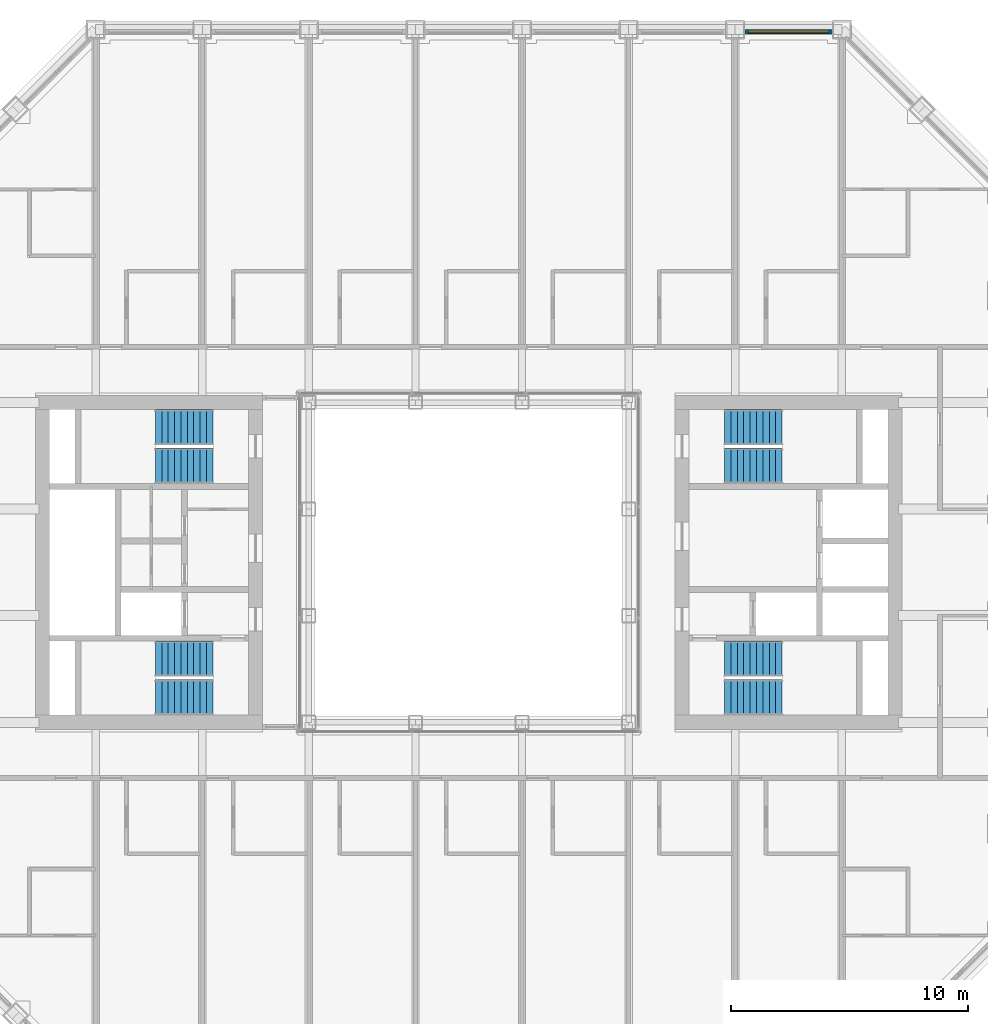
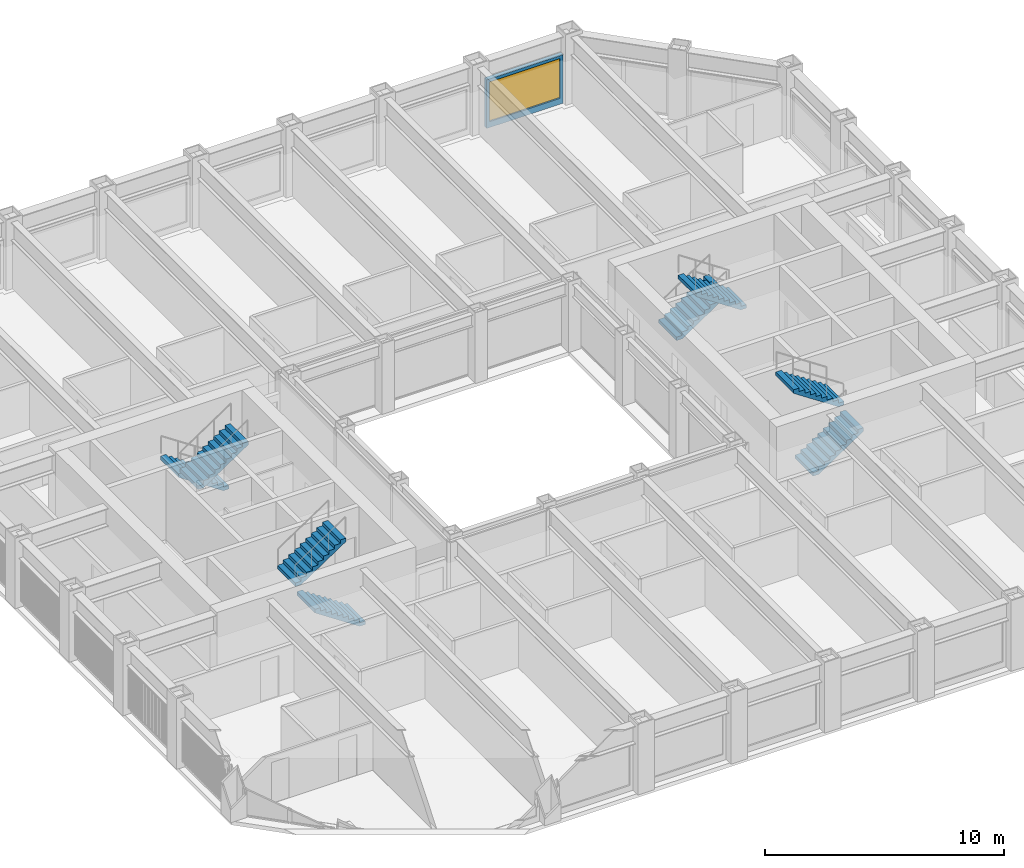
# One storey, part 15 of 18: 8 stair flights, 1 wall, 1 window, 1 opening, 4 elements without a shape of their own.
"""IFC4 building model written with IfcOpenShell, lengths in metres."""

from ifc_helpers import new_model, si_unit, direction, frame, frame_2d, origin, place, context, subcontext, project, spatial, polyline, rectangle, outline, extrude, material, layer, layer_set, type_object, element, fill, aggregate, save


model = new_model("IFC4")

# Units and contexts
model_context = context("Model", 3, precision=1e-05, world=origin(), true_north=direction((0.0, 1.0)))
body_context = subcontext(model_context, "Body", "Model", "MODEL_VIEW")
ifc_project = project(units=[si_unit("LENGTHUNIT", "METRE"), si_unit("AREAUNIT", "SQUARE_METRE"), si_unit("VOLUMEUNIT", "CUBIC_METRE"), si_unit("PLANEANGLEUNIT", "RADIAN"), si_unit("MASSUNIT", "GRAM", prefix="KILO")], contexts=[model_context])

# Site, building, storey
site_placement = place(None, origin())
site = spatial("IfcSite", under=ifc_project, at=site_placement, CompositionType="ELEMENT")
building_placement = place(site_placement, origin())
building = spatial("IfcBuilding", under=site, at=building_placement, Name="Msasa Ring Tower", CompositionType="ELEMENT")
storey_placement = place(building_placement, frame((0.0, 0.0, 125.60009765625)))
storey = spatial("IfcBuildingStorey", under=building, at=storey_placement, Name="L32", CompositionType="ELEMENT", Elevation=125.60009765625)

# Wall, opening, window
ifc_material_1 = material(Name="Terracotta rainscreen on blockwork", Category="masonry")
ifc_layer = layer(ifc_material_1, 0.199951171875)
ifc_layer_set = layer_set([ifc_layer], Name="FW1 TERRACOTTA-LINED INFILL BAY WALL 200")
wall_type = type_object("IfcWallType", Name="FW1 TERRACOTTA-LINED INFILL BAY WALL 200", PredefinedType="SOLIDWALL", material=ifc_layer_set)
wall_placement = place(storey_placement, frame((11.655029296875, 22.39990234375, 0.0), z_axis=(0.0, 0.0, 1.0), x_axis=(1.0, 0.0, 0.0)))
wall = element("IfcWall", 1, at=wall_placement, inside=storey, type_object=wall_type, Name="Infill bay wall N L32 24", PredefinedType="SOLIDWALL", context=body_context, shape_type="SweptSolid", body=[
    extrude(rectangle(XDim=3.68994140625, YDim=0.199951171875, at=frame_2d((1.844970703125, 0.0))), origin(), (0.0, 0.0, 1.0), 2.47900390625),
])
opening_placement = place(wall_placement, frame((0.14501953125, 0.0, 0.300048828125)))
opening = element("IfcOpeningElement", 2, at=opening_placement, cuts=wall, Name="Opening WN2", PredefinedType="OPENING", context=body_context, shape_type="SweptSolid", body=[
    extrude(rectangle(XDim=3.39990234375, YDim=2.029052734375, at=frame_2d((1.699951171875, 1.0146484375))), frame((0.0, 0.10986328125, 0.0), z_axis=(0.0, -1.0, 0.0), x_axis=(1.0, 0.0, 0.0)), (0.0, 0.0, 1.0), 0.219970703125),
])
ifc_material_2 = material(Name="Aluminium frame with clear glass", Category="aluminium")
window_type = type_object("IfcWindowType", Name="WN2 GUEST ROOM WINDOW 3400x2029", PartitioningType="SINGLE_PANEL", PredefinedType="WINDOW", material=ifc_material_2)
window_placement = place(opening_placement, origin())
window = element("IfcWindow", 3, at=window_placement, inside=storey, type_object=window_type, Name="Window N L32 24", OverallHeight=2.029052734375, OverallWidth=3.39990234375, PartitioningType="SINGLE_PANEL", PredefinedType="WINDOW", context=body_context, shape_type="SweptSolid", body=[
    extrude(rectangle(XDim=3.39990234375, YDim=2.029052734375, at=frame_2d((1.699951171875, 1.0146484375))), frame((0.0, 0.030029296875, 0.0), z_axis=(0.0, -1.0, 0.0), x_axis=(1.0, 0.0, 0.0)), (0.0, 0.0, 1.0), 0.06005859375),
])
fill(opening, window)

# Stair, stair flights
ifc_material_3 = material(Name="Concrete C40/50", Category="concrete")
stair_type = type_object("IfcStairType", Name="STC CORE STAIR 20 RISERS 180", PredefinedType="HALF_TURN_STAIR", material=ifc_material_3)
stair_1_placement = place(storey_placement, origin())
stair_1 = element("IfcStair", 4, at=stair_1_placement, inside=storey, type_object=stair_type, Name="Core stair SEA L32", PredefinedType="HALF_TURN_STAIR")
ifc_material_4 = material(Name="Concrete C40/50", Category="concrete")
stair_flight_type = type_object("IfcStairFlightType", Name="ST14 CORE STAIR FLIGHT 1500 10 RISERS 180", PredefinedType="STRAIGHT", material=ifc_material_4)
stair_flight_1_placement = place(storey_placement, frame((10.800048828125, -5.699951171875, 0.0), z_axis=(0.0, 0.0, 1.0), x_axis=(1.0, 0.0, 0.0)))
stair_flight_1 = element("IfcStairFlight", 5, at=stair_flight_1_placement, type_object=stair_flight_type, Name="SEA flight 1", NumberOfRisers=10, NumberOfTreads=9, PredefinedType="STRAIGHT", RiserHeight=0.18, TreadLength=0.27, context=body_context, shape_type="SweptSolid", body=[
    extrude(outline(polyline([(0.0, 0.0), (0.0, 0.179931640625), (0.27001953125, 0.179931640625), (0.27001953125, 0.360107421875), (0.5400390625, 0.360107421875), (0.5400390625, 0.5400390625), (0.81005859375, 0.5400390625), (0.81005859375, 0.719970703125), (1.080078125, 0.719970703125), (1.080078125, 0.89990234375), (1.35009765625, 0.89990234375), (1.35009765625, 1.080078125), (1.6201171875, 1.080078125), (1.6201171875, 1.260009765625), (1.889892578125, 1.260009765625), (1.889892578125, 1.43994140625), (2.159912109375, 1.43994140625), (2.159912109375, 1.6201171875), (2.429931640625, 1.6201171875), (2.429931640625, 1.800048828125), (2.429931640625, 1.43994140625), (0.270263671875, 0.0), (0.0, 0.0)])), frame((0.0, 0.75, 0.0), z_axis=(0.0, -1.0, 0.0), x_axis=(1.0, 0.0, 0.0)), (0.0, 0.0, 1.0), 1.5),
])
stair_flight_2_placement = place(storey_placement, frame((13.22998046875, -4.074951171875, 1.7998046875), z_axis=(0.0, 0.0, 1.0), x_axis=(-1.0, 0.0, 0.0)))
stair_flight_2 = element("IfcStairFlight", 6, at=stair_flight_2_placement, type_object=stair_flight_type, Name="SEA flight 2", NumberOfRisers=10, NumberOfTreads=9, PredefinedType="STRAIGHT", RiserHeight=0.18, TreadLength=0.27, context=body_context, shape_type="SweptSolid", body=[
    extrude(outline(polyline([(0.0, 0.0), (0.0, 0.179931640625), (0.27001953125, 0.179931640625), (0.27001953125, 0.360107421875), (0.5400390625, 0.360107421875), (0.5400390625, 0.5400390625), (0.81005859375, 0.5400390625), (0.81005859375, 0.719970703125), (1.080078125, 0.719970703125), (1.080078125, 0.89990234375), (1.35009765625, 0.89990234375), (1.35009765625, 1.080078125), (1.6201171875, 1.080078125), (1.6201171875, 1.260009765625), (1.889892578125, 1.260009765625), (1.889892578125, 1.43994140625), (2.159912109375, 1.43994140625), (2.159912109375, 1.6201171875), (2.429931640625, 1.6201171875), (2.429931640625, 1.800048828125), (2.429931640625, 1.43994140625), (0.270263671875, 0.0), (0.0, 0.0)])), frame((0.0, 0.75, 0.0), z_axis=(0.0, -1.0, 0.0), x_axis=(1.0, 0.0, 0.0)), (0.0, 0.0, 1.0), 1.5),
])
aggregate(stair_1, [stair_flight_1, stair_flight_2])

stair_2_placement = place(storey_placement, origin())
stair_2 = element("IfcStair", 7, at=stair_2_placement, inside=storey, type_object=stair_type, Name="Core stair SEB L32", PredefinedType="HALF_TURN_STAIR")
stair_flight_3_placement = place(storey_placement, frame((10.800048828125, 5.699951171875, 0.0), z_axis=(0.0, 0.0, 1.0), x_axis=(1.0, 0.0, 0.0)))
stair_flight_3 = element("IfcStairFlight", 8, at=stair_flight_3_placement, type_object=stair_flight_type, Name="SEB flight 1", NumberOfRisers=10, NumberOfTreads=9, PredefinedType="STRAIGHT", RiserHeight=0.18, TreadLength=0.27, context=body_context, shape_type="SweptSolid", body=[
    extrude(outline(polyline([(0.0, 0.0), (0.0, 0.179931640625), (0.27001953125, 0.179931640625), (0.27001953125, 0.360107421875), (0.5400390625, 0.360107421875), (0.5400390625, 0.5400390625), (0.81005859375, 0.5400390625), (0.81005859375, 0.719970703125), (1.080078125, 0.719970703125), (1.080078125, 0.89990234375), (1.35009765625, 0.89990234375), (1.35009765625, 1.080078125), (1.6201171875, 1.080078125), (1.6201171875, 1.260009765625), (1.889892578125, 1.260009765625), (1.889892578125, 1.43994140625), (2.159912109375, 1.43994140625), (2.159912109375, 1.6201171875), (2.429931640625, 1.6201171875), (2.429931640625, 1.800048828125), (2.429931640625, 1.43994140625), (0.270263671875, 0.0), (0.0, 0.0)])), frame((0.0, 0.75, 0.0), z_axis=(0.0, -1.0, 0.0), x_axis=(1.0, 0.0, 0.0)), (0.0, 0.0, 1.0), 1.5),
])
stair_flight_4_placement = place(storey_placement, frame((13.22998046875, 4.074951171875, 1.7998046875), z_axis=(0.0, 0.0, 1.0), x_axis=(-1.0, 0.0, 0.0)))
stair_flight_4 = element("IfcStairFlight", 9, at=stair_flight_4_placement, type_object=stair_flight_type, Name="SEB flight 2", NumberOfRisers=10, NumberOfTreads=9, PredefinedType="STRAIGHT", RiserHeight=0.18, TreadLength=0.27, context=body_context, shape_type="SweptSolid", body=[
    extrude(outline(polyline([(0.0, 0.0), (0.0, 0.179931640625), (0.27001953125, 0.179931640625), (0.27001953125, 0.360107421875), (0.5400390625, 0.360107421875), (0.5400390625, 0.5400390625), (0.81005859375, 0.5400390625), (0.81005859375, 0.719970703125), (1.080078125, 0.719970703125), (1.080078125, 0.89990234375), (1.35009765625, 0.89990234375), (1.35009765625, 1.080078125), (1.6201171875, 1.080078125), (1.6201171875, 1.260009765625), (1.889892578125, 1.260009765625), (1.889892578125, 1.43994140625), (2.159912109375, 1.43994140625), (2.159912109375, 1.6201171875), (2.429931640625, 1.6201171875), (2.429931640625, 1.800048828125), (2.429931640625, 1.43994140625), (0.270263671875, 0.0), (0.0, 0.0)])), frame((0.0, 0.75, 0.0), z_axis=(0.0, -1.0, 0.0), x_axis=(1.0, 0.0, 0.0)), (0.0, 0.0, 1.0), 1.5),
])
aggregate(stair_2, [stair_flight_3, stair_flight_4])

stair_3_placement = place(storey_placement, origin())
stair_3 = element("IfcStair", 10, at=stair_3_placement, inside=storey, type_object=stair_type, Name="Core stair SWA L32", PredefinedType="HALF_TURN_STAIR")
stair_flight_5_placement = place(storey_placement, frame((-10.800048828125, -5.699951171875, 0.0), z_axis=(0.0, 0.0, 1.0), x_axis=(-1.0, 0.0, 0.0)))
stair_flight_5 = element("IfcStairFlight", 11, at=stair_flight_5_placement, type_object=stair_flight_type, Name="SWA flight 1", NumberOfRisers=10, NumberOfTreads=9, PredefinedType="STRAIGHT", RiserHeight=0.18, TreadLength=0.27, context=body_context, shape_type="SweptSolid", body=[
    extrude(outline(polyline([(0.0, 0.0), (0.0, 0.179931640625), (0.27001953125, 0.179931640625), (0.27001953125, 0.360107421875), (0.5400390625, 0.360107421875), (0.5400390625, 0.5400390625), (0.81005859375, 0.5400390625), (0.81005859375, 0.719970703125), (1.080078125, 0.719970703125), (1.080078125, 0.89990234375), (1.35009765625, 0.89990234375), (1.35009765625, 1.080078125), (1.6201171875, 1.080078125), (1.6201171875, 1.260009765625), (1.889892578125, 1.260009765625), (1.889892578125, 1.43994140625), (2.159912109375, 1.43994140625), (2.159912109375, 1.6201171875), (2.429931640625, 1.6201171875), (2.429931640625, 1.800048828125), (2.429931640625, 1.43994140625), (0.270263671875, 0.0), (0.0, 0.0)])), frame((0.0, 0.75, 0.0), z_axis=(0.0, -1.0, 0.0), x_axis=(1.0, 0.0, 0.0)), (0.0, 0.0, 1.0), 1.5),
])
stair_flight_6_placement = place(storey_placement, frame((-13.22998046875, -4.074951171875, 1.7998046875), z_axis=(0.0, 0.0, 1.0), x_axis=(1.0, 0.0, 0.0)))
stair_flight_6 = element("IfcStairFlight", 12, at=stair_flight_6_placement, type_object=stair_flight_type, Name="SWA flight 2", NumberOfRisers=10, NumberOfTreads=9, PredefinedType="STRAIGHT", RiserHeight=0.18, TreadLength=0.27, context=body_context, shape_type="SweptSolid", body=[
    extrude(outline(polyline([(0.0, 0.0), (0.0, 0.179931640625), (0.27001953125, 0.179931640625), (0.27001953125, 0.360107421875), (0.5400390625, 0.360107421875), (0.5400390625, 0.5400390625), (0.81005859375, 0.5400390625), (0.81005859375, 0.719970703125), (1.080078125, 0.719970703125), (1.080078125, 0.89990234375), (1.35009765625, 0.89990234375), (1.35009765625, 1.080078125), (1.6201171875, 1.080078125), (1.6201171875, 1.260009765625), (1.889892578125, 1.260009765625), (1.889892578125, 1.43994140625), (2.159912109375, 1.43994140625), (2.159912109375, 1.6201171875), (2.429931640625, 1.6201171875), (2.429931640625, 1.800048828125), (2.429931640625, 1.43994140625), (0.270263671875, 0.0), (0.0, 0.0)])), frame((0.0, 0.75, 0.0), z_axis=(0.0, -1.0, 0.0), x_axis=(1.0, 0.0, 0.0)), (0.0, 0.0, 1.0), 1.5),
])
aggregate(stair_3, [stair_flight_5, stair_flight_6])

stair_4_placement = place(storey_placement, origin())
stair_4 = element("IfcStair", 13, at=stair_4_placement, inside=storey, type_object=stair_type, Name="Core stair SWB L32", PredefinedType="HALF_TURN_STAIR")
stair_flight_7_placement = place(storey_placement, frame((-10.800048828125, 5.699951171875, 0.0), z_axis=(0.0, 0.0, 1.0), x_axis=(-1.0, 0.0, 0.0)))
stair_flight_7 = element("IfcStairFlight", 14, at=stair_flight_7_placement, type_object=stair_flight_type, Name="SWB flight 1", NumberOfRisers=10, NumberOfTreads=9, PredefinedType="STRAIGHT", RiserHeight=0.18, TreadLength=0.27, context=body_context, shape_type="SweptSolid", body=[
    extrude(outline(polyline([(0.0, 0.0), (0.0, 0.179931640625), (0.27001953125, 0.179931640625), (0.27001953125, 0.360107421875), (0.5400390625, 0.360107421875), (0.5400390625, 0.5400390625), (0.81005859375, 0.5400390625), (0.81005859375, 0.719970703125), (1.080078125, 0.719970703125), (1.080078125, 0.89990234375), (1.35009765625, 0.89990234375), (1.35009765625, 1.080078125), (1.6201171875, 1.080078125), (1.6201171875, 1.260009765625), (1.889892578125, 1.260009765625), (1.889892578125, 1.43994140625), (2.159912109375, 1.43994140625), (2.159912109375, 1.6201171875), (2.429931640625, 1.6201171875), (2.429931640625, 1.800048828125), (2.429931640625, 1.43994140625), (0.270263671875, 0.0), (0.0, 0.0)])), frame((0.0, 0.75, 0.0), z_axis=(0.0, -1.0, 0.0), x_axis=(1.0, 0.0, 0.0)), (0.0, 0.0, 1.0), 1.5),
])
stair_flight_8_placement = place(storey_placement, frame((-13.22998046875, 4.074951171875, 1.7998046875), z_axis=(0.0, 0.0, 1.0), x_axis=(1.0, 0.0, 0.0)))
stair_flight_8 = element("IfcStairFlight", 15, at=stair_flight_8_placement, type_object=stair_flight_type, Name="SWB flight 2", NumberOfRisers=10, NumberOfTreads=9, PredefinedType="STRAIGHT", RiserHeight=0.18, TreadLength=0.27, context=body_context, shape_type="SweptSolid", body=[
    extrude(outline(polyline([(0.0, 0.0), (0.0, 0.179931640625), (0.27001953125, 0.179931640625), (0.27001953125, 0.360107421875), (0.5400390625, 0.360107421875), (0.5400390625, 0.5400390625), (0.81005859375, 0.5400390625), (0.81005859375, 0.719970703125), (1.080078125, 0.719970703125), (1.080078125, 0.89990234375), (1.35009765625, 0.89990234375), (1.35009765625, 1.080078125), (1.6201171875, 1.080078125), (1.6201171875, 1.260009765625), (1.889892578125, 1.260009765625), (1.889892578125, 1.43994140625), (2.159912109375, 1.43994140625), (2.159912109375, 1.6201171875), (2.429931640625, 1.6201171875), (2.429931640625, 1.800048828125), (2.429931640625, 1.43994140625), (0.270263671875, 0.0), (0.0, 0.0)])), frame((0.0, 0.75, 0.0), z_axis=(0.0, -1.0, 0.0), x_axis=(1.0, 0.0, 0.0)), (0.0, 0.0, 1.0), 1.5),
])
aggregate(stair_4, [stair_flight_7, stair_flight_8])

save(model, "model.ifc")
